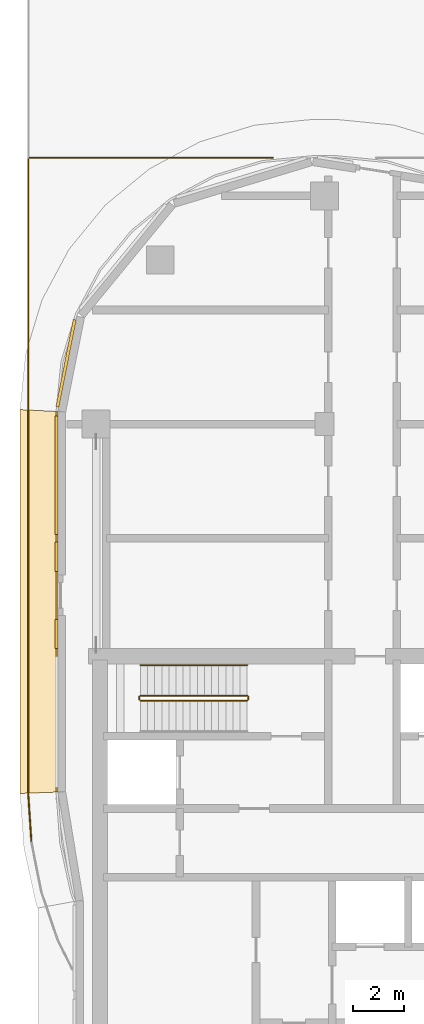
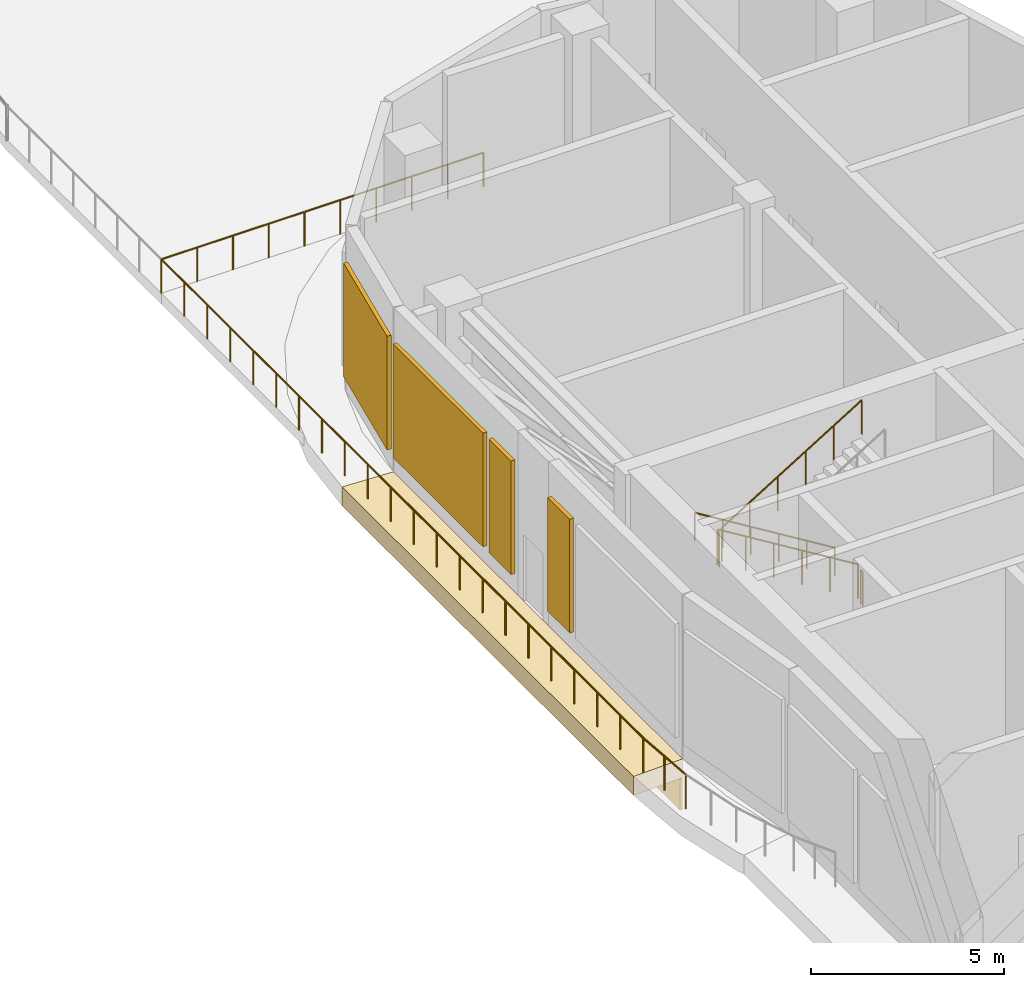
# One storey, part 13 of 18: 6 railings, 4 shading devices, 2 coverings.
"""IFC4 building model written with IfcOpenShell, lengths in metres."""

from ifc_helpers import new_model, si_unit, direction, frame, origin, origin_2d, place, context, subcontext, project, spatial, polyline, rectangle, circle, outline, extrude, material, layer, layer_set, type_object, element, save


model = new_model("IFC4")

# Units and contexts
model_context = context("Model", 3, precision=1e-05, world=origin(), true_north=direction((0.0, 1.0)))
body_context = subcontext(model_context, "Body", "Model", "MODEL_VIEW")
ifc_project = project(units=[si_unit("LENGTHUNIT", "METRE"), si_unit("AREAUNIT", "SQUARE_METRE"), si_unit("VOLUMEUNIT", "CUBIC_METRE"), si_unit("PLANEANGLEUNIT", "RADIAN"), si_unit("MASSUNIT", "GRAM", prefix="KILO")], contexts=[model_context])

# Site, building, storey
site_placement = place(None, origin())
site = spatial("IfcSite", under=ifc_project, at=site_placement, CompositionType="ELEMENT")
building_placement = place(site_placement, origin())
building = spatial("IfcBuilding", under=site, at=building_placement, Name="Ogive Portal Towers", CompositionType="ELEMENT")
storey_placement = place(building_placement, frame((0.0, 0.0, 190.300048828125)))
storey = spatial("IfcBuildingStorey", under=building, at=storey_placement, Name="L47", CompositionType="ELEMENT", Elevation=190.300048828125)

# Railings
ifc_material_1 = material(Name="Steel S355", Category="steel")
railing_type_1 = type_object("IfcRailingType", Name="BALUSTRADE GLASS 1100", PredefinedType="BALUSTRADE", material=ifc_material_1)
railing_1_placement = place(storey_placement, frame((28.949951171875, 32.01904296875, 0.0)))
element("IfcRailing", 1, at=railing_1_placement, inside=storey, type_object=railing_type_1, Name="UNDER STUB ROOF GUARD 1", PredefinedType="BALUSTRADE", context=body_context, shape_type="SweptSolid", body=[
    extrude(circle(Radius=0.02392578125, at=origin_2d()), frame((0.0, 0.0, 1.076171875), z_axis=(-0.065425212842, 0.997857475557, 0.0), x_axis=(-0.997857475557, -0.065425212842, 0.0)), (0.0, 0.0, 1.0), 1.985107421875),
    extrude(circle(Radius=0.02392578125, at=origin_2d()), frame((-0.1298828125, 1.98095703125, 1.076171875), z_axis=(0.0, 1.0, 0.0), x_axis=(-1.0, 0.0, 0.0)), (0.0, 0.0, 1.0), 25.0),
    extrude(circle(Radius=0.02392578125, at=origin_2d()), frame((-0.1298828125, 26.98095703125, 1.076171875), z_axis=(1.0, 0.0, 0.0), x_axis=(0.0, 1.0, 0.0)), (0.0, 0.0, 1.0), 9.64990234375),
    extrude(circle(Radius=0.02099609375, at=origin_2d()), origin(), (0.0, 0.0, 1.0), 1.052001953125),
    extrude(circle(Radius=0.02099609375, at=origin_2d()), frame((-0.06494140625, 0.990478515625, 0.0)), (0.0, 0.0, 1.0), 1.052001953125),
    extrude(circle(Radius=0.02099609375, at=origin_2d()), frame((-0.1298828125, 1.98095703125, 0.0)), (0.0, 0.0, 1.0), 1.052001953125),
    extrude(circle(Radius=0.02099609375, at=origin_2d()), frame((-0.1298828125, 3.17138671875, 0.0)), (0.0, 0.0, 1.0), 1.052001953125),
    extrude(circle(Radius=0.02099609375, at=origin_2d()), frame((-0.1298828125, 4.36181640625, 0.0)), (0.0, 0.0, 1.0), 1.052001953125),
    extrude(circle(Radius=0.02099609375, at=origin_2d()), frame((-0.1298828125, 5.552490234375, 0.0)), (0.0, 0.0, 1.0), 1.052001953125),
    extrude(circle(Radius=0.02099609375, at=origin_2d()), frame((-0.1298828125, 6.742919921875, 0.0)), (0.0, 0.0, 1.0), 1.052001953125),
    extrude(circle(Radius=0.02099609375, at=origin_2d()), frame((-0.1298828125, 7.933349609375, 0.0)), (0.0, 0.0, 1.0), 1.052001953125),
    extrude(circle(Radius=0.02099609375, at=origin_2d()), frame((-0.1298828125, 9.123779296875, 0.0)), (0.0, 0.0, 1.0), 1.052001953125),
    extrude(circle(Radius=0.02099609375, at=origin_2d()), frame((-0.1298828125, 10.314208984375, 0.0)), (0.0, 0.0, 1.0), 1.052001953125),
    extrude(circle(Radius=0.02099609375, at=origin_2d()), frame((-0.1298828125, 11.5048828125, 0.0)), (0.0, 0.0, 1.0), 1.052001953125),
    extrude(circle(Radius=0.02099609375, at=origin_2d()), frame((-0.1298828125, 12.6953125, 0.0)), (0.0, 0.0, 1.0), 1.052001953125),
    extrude(circle(Radius=0.02099609375, at=origin_2d()), frame((-0.1298828125, 13.8857421875, 0.0)), (0.0, 0.0, 1.0), 1.052001953125),
    extrude(circle(Radius=0.02099609375, at=origin_2d()), frame((-0.1298828125, 15.076171875, 0.0)), (0.0, 0.0, 1.0), 1.052001953125),
    extrude(circle(Radius=0.02099609375, at=origin_2d()), frame((-0.1298828125, 16.2666015625, 0.0)), (0.0, 0.0, 1.0), 1.052001953125),
    extrude(circle(Radius=0.02099609375, at=origin_2d()), frame((-0.1298828125, 17.45703125, 0.0)), (0.0, 0.0, 1.0), 1.052001953125),
    extrude(circle(Radius=0.02099609375, at=origin_2d()), frame((-0.1298828125, 18.647705078125, 0.0)), (0.0, 0.0, 1.0), 1.052001953125),
    extrude(circle(Radius=0.02099609375, at=origin_2d()), frame((-0.1298828125, 19.838134765625, 0.0)), (0.0, 0.0, 1.0), 1.052001953125),
    extrude(circle(Radius=0.02099609375, at=origin_2d()), frame((-0.1298828125, 21.028564453125, 0.0)), (0.0, 0.0, 1.0), 1.052001953125),
    extrude(circle(Radius=0.02099609375, at=origin_2d()), frame((-0.1298828125, 22.218994140625, 0.0)), (0.0, 0.0, 1.0), 1.052001953125),
    extrude(circle(Radius=0.02099609375, at=origin_2d()), frame((-0.1298828125, 23.409423828125, 0.0)), (0.0, 0.0, 1.0), 1.052001953125),
    extrude(circle(Radius=0.02099609375, at=origin_2d()), frame((-0.1298828125, 24.60009765625, 0.0)), (0.0, 0.0, 1.0), 1.052001953125),
    extrude(circle(Radius=0.02099609375, at=origin_2d()), frame((-0.1298828125, 25.79052734375, 0.0)), (0.0, 0.0, 1.0), 1.052001953125),
    extrude(circle(Radius=0.02099609375, at=origin_2d()), frame((-0.1298828125, 26.98095703125, 0.0)), (0.0, 0.0, 1.0), 1.052001953125),
    extrude(circle(Radius=0.02099609375, at=origin_2d()), frame((0.9423828125, 26.98095703125, 0.0)), (0.0, 0.0, 1.0), 1.052001953125),
    extrude(circle(Radius=0.02099609375, at=origin_2d()), frame((2.0146484375, 26.98095703125, 0.0)), (0.0, 0.0, 1.0), 1.052001953125),
    extrude(circle(Radius=0.02099609375, at=origin_2d()), frame((3.086669921875, 26.98095703125, 0.0)), (0.0, 0.0, 1.0), 1.052001953125),
    extrude(circle(Radius=0.02099609375, at=origin_2d()), frame((4.158935546875, 26.98095703125, 0.0)), (0.0, 0.0, 1.0), 1.052001953125),
    extrude(circle(Radius=0.02099609375, at=origin_2d()), frame((5.231201171875, 26.98095703125, 0.0)), (0.0, 0.0, 1.0), 1.052001953125),
    extrude(circle(Radius=0.02099609375, at=origin_2d()), frame((6.303466796875, 26.98095703125, 0.0)), (0.0, 0.0, 1.0), 1.052001953125),
    extrude(circle(Radius=0.02099609375, at=origin_2d()), frame((7.37548828125, 26.98095703125, 0.0)), (0.0, 0.0, 1.0), 1.052001953125),
    extrude(circle(Radius=0.02099609375, at=origin_2d()), frame((8.44775390625, 26.98095703125, 0.0)), (0.0, 0.0, 1.0), 1.052001953125),
    extrude(circle(Radius=0.02099609375, at=origin_2d()), frame((9.52001953125, 26.98095703125, 0.0)), (0.0, 0.0, 1.0), 1.052001953125),
])
ifc_material_2 = material(Name="Stainless steel balustrade", Category="steel")
railing_type_2 = type_object("IfcRailingType", Name="INT-GUARD", PredefinedType="GUARDRAIL", material=ifc_material_2)
railing_2_placement = place(storey_placement, frame((37.449951171875, 37.800048828125, 0.171875)))
element("IfcRailing", 2, at=railing_2_placement, inside=storey, type_object=railing_type_2, Name="L47 ST-A1 stair guard 1", PredefinedType="GUARDRAIL", context=body_context, shape_type="SweptSolid", body=[
    extrude(circle(Radius=0.02392578125, at=origin_2d()), frame((0.0, 0.0, 1.076171875), z_axis=(-0.852242915053, 0.0, 0.523146264196), x_axis=(0.0, -1.0, 0.0)), (0.0, 0.0, 1.0), 4.92822265625),
    extrude(circle(Radius=0.02099609375, at=origin_2d()), origin(), (0.0, 0.0, 1.0), 1.052001953125),
    extrude(circle(Radius=0.02099609375, at=origin_2d()), frame((-0.840087890625, 0.0, 0.515625)), (0.0, 0.0, 1.0), 1.052001953125),
    extrude(circle(Radius=0.02099609375, at=origin_2d()), frame((-1.679931640625, 0.0, 1.03125)), (0.0, 0.0, 1.0), 1.052001953125),
    extrude(circle(Radius=0.02099609375, at=origin_2d()), frame((-2.52001953125, 0.0, 1.546875)), (0.0, 0.0, 1.0), 1.052001953125),
    extrude(circle(Radius=0.02099609375, at=origin_2d()), frame((-3.35986328125, 0.0, 2.0625)), (0.0, 0.0, 1.0), 1.052001953125),
    extrude(circle(Radius=0.02099609375, at=origin_2d()), frame((-4.199951171875, 0.0, 2.578125)), (0.0, 0.0, 1.0), 1.052001953125),
])
railing_3_placement = place(storey_placement, frame((33.199951171875, 37.75, 2.75)))
element("IfcRailing", 3, at=railing_3_placement, inside=storey, type_object=railing_type_2, Name="L47 ST-A1 stair guard 2", PredefinedType="GUARDRAIL", context=body_context, shape_type="SweptSolid", body=[
    extrude(circle(Radius=0.02392578125, at=origin_2d()), frame((0.0, 0.0, 1.076171875), z_axis=(0.0, -1.0, 0.0), x_axis=(1.0, 0.0, 0.0)), (0.0, 0.0, 1.0), 0.10009765625),
    extrude(circle(Radius=0.02099609375, at=origin_2d()), origin(), (0.0, 0.0, 1.0), 1.052001953125),
    extrude(circle(Radius=0.02099609375, at=origin_2d()), frame((0.0, -0.10009765625, 0.0)), (0.0, 0.0, 1.0), 1.052001953125),
])
railing_4_placement = place(storey_placement, frame((33.25, 37.60009765625, 2.921875)))
element("IfcRailing", 4, at=railing_4_placement, inside=storey, type_object=railing_type_2, Name="L47 ST-A1 stair guard 3", PredefinedType="GUARDRAIL", context=body_context, shape_type="SweptSolid", body=[
    extrude(circle(Radius=0.02392578125, at=origin_2d()), frame((0.0, 0.0, 1.076171875), z_axis=(0.852242915053, 0.0, 0.523146264196), x_axis=(0.0, 1.0, 0.0)), (0.0, 0.0, 1.0), 4.92822265625),
    extrude(circle(Radius=0.02099609375, at=origin_2d()), origin(), (0.0, 0.0, 1.0), 1.052001953125),
    extrude(circle(Radius=0.02099609375, at=origin_2d()), frame((0.840087890625, 0.0, 0.515625)), (0.0, 0.0, 1.0), 1.052001953125),
    extrude(circle(Radius=0.02099609375, at=origin_2d()), frame((1.679931640625, 0.0, 1.03125)), (0.0, 0.0, 1.0), 1.052001953125),
    extrude(circle(Radius=0.02099609375, at=origin_2d()), frame((2.52001953125, 0.0, 1.546875)), (0.0, 0.0, 1.0), 1.052001953125),
    extrude(circle(Radius=0.02099609375, at=origin_2d()), frame((3.35986328125, 0.0, 2.0625)), (0.0, 0.0, 1.0), 1.052001953125),
    extrude(circle(Radius=0.02099609375, at=origin_2d()), frame((4.199951171875, 0.0, 2.578125)), (0.0, 0.0, 1.0), 1.052001953125),
])
railing_5_placement = place(storey_placement, frame((37.5, 37.75, 0.0)))
element("IfcRailing", 5, at=railing_5_placement, inside=storey, type_object=railing_type_2, Name="L47 ST-A1 stair guard 4", PredefinedType="GUARDRAIL", context=body_context, shape_type="SweptSolid", body=[
    extrude(circle(Radius=0.02392578125, at=origin_2d()), frame((0.0, 0.0, 1.076171875), z_axis=(0.0, -1.0, 0.0), x_axis=(1.0, 0.0, 0.0)), (0.0, 0.0, 1.0), 0.10009765625),
    extrude(circle(Radius=0.02099609375, at=origin_2d()), origin(), (0.0, 0.0, 1.0), 1.052001953125),
    extrude(circle(Radius=0.02099609375, at=origin_2d()), frame((0.0, -0.10009765625, 0.0)), (0.0, 0.0, 1.0), 1.052001953125),
])
ifc_material_3 = material(Name="Stainless steel handrail", Category="steel")
railing_type_3 = type_object("IfcRailingType", Name="INT-HANDRAIL", PredefinedType="HANDRAIL", material=ifc_material_3)
railing_6_placement = place(storey_placement, frame((37.449951171875, 39.0, 0.171875)))
element("IfcRailing", 6, at=railing_6_placement, inside=storey, type_object=railing_type_3, Name="L47 ST-A1 stair handrail 1", PredefinedType="HANDRAIL", context=body_context, shape_type="SweptSolid", body=[
    extrude(circle(Radius=0.02392578125, at=origin_2d()), frame((0.0, 0.0, 0.8759765625), z_axis=(-0.852242915053, 0.0, 0.523146264196), x_axis=(0.0, -1.0, 0.0)), (0.0, 0.0, 1.0), 4.92822265625),
    extrude(circle(Radius=0.02099609375, at=origin_2d()), origin(), (0.0, 0.0, 1.0), 0.851806640625),
    extrude(circle(Radius=0.02099609375, at=origin_2d()), frame((-0.840087890625, 0.0, 0.515625)), (0.0, 0.0, 1.0), 0.851806640625),
    extrude(circle(Radius=0.02099609375, at=origin_2d()), frame((-1.679931640625, 0.0, 1.03125)), (0.0, 0.0, 1.0), 0.851806640625),
    extrude(circle(Radius=0.02099609375, at=origin_2d()), frame((-2.52001953125, 0.0, 1.546875)), (0.0, 0.0, 1.0), 0.851806640625),
    extrude(circle(Radius=0.02099609375, at=origin_2d()), frame((-3.35986328125, 0.0, 2.0625)), (0.0, 0.0, 1.0), 0.851806640625),
    extrude(circle(Radius=0.02099609375, at=origin_2d()), frame((-4.199951171875, 0.0, 2.578125)), (0.0, 0.0, 1.0), 0.851806640625),
])

# Shading devices
ifc_material_4 = material(Name="Aluminium 6063 anodised", Category="aluminium")
ifc_layer_1 = layer(ifc_material_4, 0.1201171875)
ifc_layer_set_1 = layer_set([ifc_layer_1], Name="LOUVRE BANK ALUMINIUM")
shading_device_type = type_object("IfcShadingDeviceType", Name="LOUVRE BANK ALUMINIUM", PredefinedType="USERDEFINED", material=ifc_layer_set_1)
shading_device_1_placement = place(storey_placement, frame((30.3173828125, 50.90283203125, 0.599853515625), z_axis=(0.0, 0.0, 1.0), x_axis=(-0.195090322016, -0.980785280403, 0.0)))
element("IfcShadingDevice", 7, at=shading_device_1_placement, inside=storey, type_object=shading_device_type, Name="Louvre bank 1", ObjectType="LOUVRE", PredefinedType="USERDEFINED", context=body_context, shape_type="SweptSolid", body=[
    extrude(rectangle(XDim=3.4970703125, YDim=0.1201171875, at=origin_2d()), origin(), (0.0, 0.0, 1.0), 3.60009765625),
])
shading_device_2_placement = place(storey_placement, frame((29.93994140625, 46.485107421875, 0.599853515625), z_axis=(0.0, 0.0, 1.0), x_axis=(0.0, -1.0, 0.0)))
element("IfcShadingDevice", 8, at=shading_device_2_placement, inside=storey, type_object=shading_device_type, Name="Louvre bank 1", ObjectType="LOUVRE", PredefinedType="USERDEFINED", context=body_context, shape_type="SweptSolid", body=[
    extrude(rectangle(XDim=4.67041015625, YDim=0.1201171875, at=origin_2d()), origin(), (0.0, 0.0, 1.0), 3.60009765625),
])
for number, where, z_axis, x_axis, name in (
    (9, (29.93994140625, 43.27490234375, 0.599853515625), (0.0, 0.0, 1.0), (0.0, -1.0, 0.0), "Louvre bank 2"),
    (10, (29.93994140625, 40.22509765625, 0.599853515625), (0.0, 0.0, 1.0), (0.0, -1.0, 0.0), "Louvre bank 1"),
):
    element("IfcShadingDevice", number, at=place(storey_placement, frame(where, z_axis=z_axis, x_axis=x_axis)), inside=storey, type_object=shading_device_type, Name=name, ObjectType="LOUVRE", PredefinedType="USERDEFINED", context=body_context, shape_type="SweptSolid", body=[
        extrude(rectangle(XDim=1.14990234375, YDim=0.1201171875, at=origin_2d()), origin(), (0.0, 0.0, 1.0), 3.60009765625),
    ])

# Coverings
ifc_material_5 = material(Name="Limestone cladding on lightweight block wall", Category="masonry")
ifc_layer_2 = layer(ifc_material_5, 0.080078125)
ifc_layer_set_2 = layer_set([ifc_layer_2], Name="STONE SPANDREL 80")
covering_type_1 = type_object("IfcCoveringType", Name="STONE SPANDREL 80", PredefinedType="CLADDING", material=ifc_layer_set_2)
covering_1_placement = place(storey_placement, frame((0.0, 0.0, -1.60009765625)))
element("IfcCovering", 11, at=covering_1_placement, inside=storey, type_object=covering_type_1, Name="Stone spandrel A1-F13", PredefinedType="CLADDING", context=body_context, shape_type="SweptSolid", body=[
    extrude(outline(polyline([(30.0, 49.0), (30.0, 34.0), (29.919921875, 33.9970703125), (29.919921875, 49.00390625), (30.0, 49.0)])), origin(), (0.0, 0.0, 1.0), 1.0),
])
ifc_layer_3 = layer(ifc_material_5, 0.60009765625)
ifc_layer_set_3 = layer_set([ifc_layer_3], Name="SUNSHADE LIP 600")
covering_type_2 = type_object("IfcCoveringType", Name="SUNSHADE LIP 600", PredefinedType="CLADDING", material=ifc_layer_set_3)
covering_2_placement = place(storey_placement, frame((0.0, 0.0, -0.60009765625)))
element("IfcCovering", 12, at=covering_2_placement, inside=storey, type_object=covering_type_2, Name="Sunshade lip A1-F13", PredefinedType="CLADDING", context=body_context, shape_type="SweptSolid", body=[
    extrude(outline(polyline([(30.0, 49.0), (30.0, 34.0), (28.5, 33.946533203125), (28.5, 49.07373046875), (30.0, 49.0)])), origin(), (0.0, 0.0, 1.0), 0.60009765625),
])

save(model, "model.ifc")
